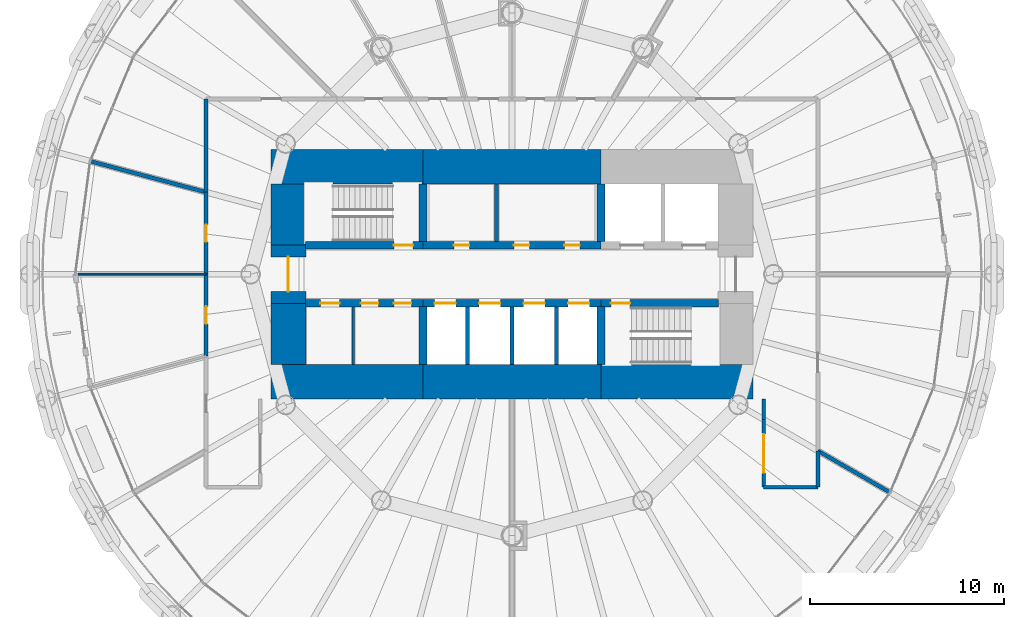
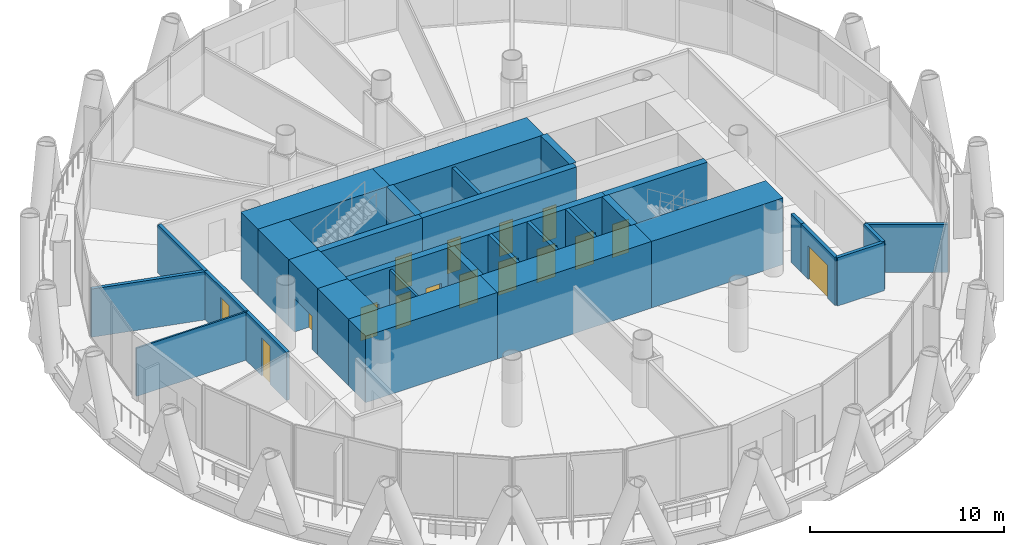
# One storey, part 10 of 16: 32 walls, 16 doors, 16 openings.
"""IFC4 building model written with IfcOpenShell, lengths in metres."""

from ifc_helpers import new_model, si_unit, direction, frame, frame_2d, origin, place, context, subcontext, project, spatial, rectangle, extrude, material, layer, layer_set, type_object, element, fill, save


model = new_model("IFC4")

# Units and contexts
model_context = context("Model", 3, precision=1e-05, world=origin(), true_north=direction((0.0, 1.0)))
body_context = subcontext(model_context, "Body", "Model", "MODEL_VIEW")
ifc_project = project(units=[si_unit("LENGTHUNIT", "METRE"), si_unit("AREAUNIT", "SQUARE_METRE"), si_unit("VOLUMEUNIT", "CUBIC_METRE"), si_unit("PLANEANGLEUNIT", "RADIAN"), si_unit("MASSUNIT", "GRAM", prefix="KILO")], contexts=[model_context])

# Site, building, storey
site_placement = place(None, origin())
site = spatial("IfcSite", under=ifc_project, at=site_placement, CompositionType="ELEMENT")
building_placement = place(site_placement, origin())
building = spatial("IfcBuilding", under=site, at=building_placement, Name="Qaws Media Tower", CompositionType="ELEMENT")
storey_placement = place(building_placement, frame((0.0, 0.0, 139.39990234375)))
storey = spatial("IfcBuildingStorey", under=building, at=storey_placement, Name="L31", CompositionType="ELEMENT", Elevation=139.39990234375)

# Wall, opening, door
ifc_material_1 = material(Name="Concrete C60/75", Category="concrete")
ifc_layer_1 = layer(ifc_material_1, 0.39990234375)
ifc_layer_set_1 = layer_set([ifc_layer_1], Name="Core inner wall 400")
wall_type_1 = type_object("IfcWallType", Name="Core inner wall 400", PredefinedType="SHEAR", material=ifc_layer_set_1)
wall_1_placement = place(storey_placement, frame((49.330078125, 51.5, 0.0), z_axis=(0.0, 0.0, 1.0), x_axis=(1.0, 0.0, 0.0)))
wall_1 = element("IfcWall", 1, at=wall_1_placement, inside=storey, type_object=wall_type_1, Name="W321 SW4 core wall SPNW L31", PredefinedType="SHEAR", context=body_context, shape_type="SweptSolid", body=[
    extrude(rectangle(XDim=6.06982421875, YDim=0.39990234375, at=frame_2d((3.034912109375, 0.0))), origin(), (0.0, 0.0, 1.0), 4.2001953125),
])
opening_1_placement = place(wall_1_placement, frame((4.570068359375, 0.0, 0.0)))
opening_1 = element("IfcOpeningElement", 2, at=opening_1_placement, cuts=wall_1, Name="Opening D1", PredefinedType="OPENING", context=body_context, shape_type="SweptSolid", body=[
    extrude(rectangle(XDim=1.0, YDim=2.10009765625, at=frame_2d((0.5, 1.050048828125))), frame((0.0, 0.2099609375, 0.0), z_axis=(0.0, -1.0, 0.0), x_axis=(1.0, 0.0, 0.0)), (0.0, 0.0, 1.0), 0.419921875),
])
ifc_material_2 = material(Name="Steel, fire rated", Category="steel")
door_type_1 = type_object("IfcDoorType", Name="Stair door 1000 FD120", OperationType="SINGLE_SWING_LEFT", PredefinedType="DOOR", material=ifc_material_2)
door_1_placement = place(opening_1_placement, origin())
door_1 = element("IfcDoor", 3, at=door_1_placement, inside=storey, type_object=door_type_1, Name="D1 stair S1 door L31 in wall W321", OperationType="SINGLE_SWING_LEFT", OverallHeight=2.10009765625, OverallWidth=1.0, PredefinedType="DOOR", context=body_context, shape_type="SweptSolid", body=[
    extrude(rectangle(XDim=1.0, YDim=2.10009765625, at=frame_2d((0.5, 1.050048828125))), frame((0.0, 0.02490234375, 0.0), z_axis=(0.0, -1.0, 0.0), x_axis=(1.0, 0.0, 0.0)), (0.0, 0.0, 1.0), 0.050048828125),
])
fill(opening_1, door_1)

# Wall, openings, doors
wall_2_placement = place(storey_placement, frame((55.39990234375, 51.5, 0.0), z_axis=(0.0, 0.0, 1.0), x_axis=(1.0, 0.0, 0.0)))
wall_2 = element("IfcWall", 4, at=wall_2_placement, inside=storey, type_object=wall_type_1, Name="W314 SW4 core wall SPN L31", PredefinedType="SHEAR", context=body_context, shape_type="SweptSolid", body=[
    extrude(rectangle(XDim=9.2001953125, YDim=0.39990234375, at=frame_2d((4.60009765625, 0.0))), origin(), (0.0, 0.0, 1.0), 4.2001953125),
])
opening_2_placement = place(wall_2_placement, frame((1.60009765625, 0.0, 0.0)))
opening_2 = element("IfcOpeningElement", 5, at=opening_2_placement, cuts=wall_2, Name="Opening D23", PredefinedType="OPENING", context=body_context, shape_type="SweptSolid", body=[
    extrude(rectangle(XDim=0.800048828125, YDim=2.10009765625, at=frame_2d((0.39990234375, 1.050048828125))), frame((0.0, 0.2099609375, 0.0), z_axis=(0.0, -1.0, 0.0), x_axis=(1.0, 0.0, 0.0)), (0.0, 0.0, 1.0), 0.419921875),
])
opening_3_placement = place(wall_2_placement, frame((4.699951171875, 0.0, 0.0)))
opening_3 = element("IfcOpeningElement", 6, at=opening_3_placement, cuts=wall_2, Name="Opening D23", PredefinedType="OPENING", context=body_context, shape_type="SweptSolid", body=[
    extrude(rectangle(XDim=0.800048828125, YDim=2.10009765625, at=frame_2d((0.39990234375, 1.050048828125))), frame((0.0, 0.2099609375, 0.0), z_axis=(0.0, -1.0, 0.0), x_axis=(1.0, 0.0, 0.0)), (0.0, 0.0, 1.0), 0.419921875),
])
opening_4_placement = place(wall_2_placement, frame((7.300048828125, 0.0, 0.0)))
opening_4 = element("IfcOpeningElement", 7, at=opening_4_placement, cuts=wall_2, Name="Opening D23", PredefinedType="OPENING", context=body_context, shape_type="SweptSolid", body=[
    extrude(rectangle(XDim=0.800048828125, YDim=2.10009765625, at=frame_2d((0.39990234375, 1.050048828125))), frame((0.0, 0.2099609375, 0.0), z_axis=(0.0, -1.0, 0.0), x_axis=(1.0, 0.0, 0.0)), (0.0, 0.0, 1.0), 0.419921875),
])
ifc_material_3 = material(Name="Steel, fire rated", Category="steel")
door_type_2 = type_object("IfcDoorType", Name="Core room door 800x2100", OperationType="SINGLE_SWING_LEFT", PredefinedType="DOOR", material=ifc_material_3)
door_2_placement = place(opening_2_placement, origin())
door_2 = element("IfcDoor", 8, at=door_2_placement, inside=storey, type_object=door_type_2, Name="D23 Ladies toilets door L31 in wall W314", OperationType="SINGLE_SWING_LEFT", OverallHeight=2.10009765625, OverallWidth=0.800048828125, PredefinedType="DOOR", context=body_context, shape_type="SweptSolid", body=[
    extrude(rectangle(XDim=0.800048828125, YDim=2.10009765625, at=frame_2d((0.39990234375, 1.050048828125))), frame((0.0, 0.02490234375, 0.0), z_axis=(0.0, -1.0, 0.0), x_axis=(1.0, 0.0, 0.0)), (0.0, 0.0, 1.0), 0.050048828125),
])
fill(opening_2, door_2)
door_3_placement = place(opening_3_placement, origin())
door_3 = element("IfcDoor", 9, at=door_3_placement, inside=storey, type_object=door_type_2, Name="D23 Gents toilets door L31 2 in wall W314", OperationType="SINGLE_SWING_LEFT", OverallHeight=2.10009765625, OverallWidth=0.800048828125, PredefinedType="DOOR", context=body_context, shape_type="SweptSolid", body=[
    extrude(rectangle(XDim=0.800048828125, YDim=2.10009765625, at=frame_2d((0.39990234375, 1.050048828125))), frame((0.0, 0.02490234375, 0.0), z_axis=(0.0, -1.0, 0.0), x_axis=(1.0, 0.0, 0.0)), (0.0, 0.0, 1.0), 0.050048828125),
])
fill(opening_3, door_3)
door_4_placement = place(opening_4_placement, origin())
door_4 = element("IfcDoor", 10, at=door_4_placement, inside=storey, type_object=door_type_2, Name="D23 Gents toilets door L31 3 in wall W314", OperationType="SINGLE_SWING_LEFT", OverallHeight=2.10009765625, OverallWidth=0.800048828125, PredefinedType="DOOR", context=body_context, shape_type="SweptSolid", body=[
    extrude(rectangle(XDim=0.800048828125, YDim=2.10009765625, at=frame_2d((0.39990234375, 1.050048828125))), frame((0.0, 0.02490234375, 0.0), z_axis=(0.0, -1.0, 0.0), x_axis=(1.0, 0.0, 0.0)), (0.0, 0.0, 1.0), 0.050048828125),
])
fill(opening_4, door_4)

wall_3_placement = place(storey_placement, frame((49.330078125, 48.5, 0.0), z_axis=(0.0, 0.0, 1.0), x_axis=(1.0, 0.0, 0.0)))
wall_3 = element("IfcWall", 11, at=wall_3_placement, inside=storey, type_object=wall_type_1, Name="W320 SW4 core wall SPSW L31", PredefinedType="SHEAR", context=body_context, shape_type="SweptSolid", body=[
    extrude(rectangle(XDim=6.06982421875, YDim=0.39990234375, at=frame_2d((3.034912109375, 0.0))), origin(), (0.0, 0.0, 1.0), 4.2001953125),
])
opening_5_placement = place(wall_3_placement, frame((0.77001953125, 0.0, 0.0)))
opening_5 = element("IfcOpeningElement", 12, at=opening_5_placement, cuts=wall_3, Name="Opening D4", PredefinedType="OPENING", context=body_context, shape_type="SweptSolid", body=[
    extrude(rectangle(XDim=1.0, YDim=2.10009765625, at=frame_2d((0.5, 1.050048828125))), frame((0.0, 0.2099609375, 0.0), z_axis=(0.0, -1.0, 0.0), x_axis=(1.0, 0.0, 0.0)), (0.0, 0.0, 1.0), 0.419921875),
])
opening_6_placement = place(wall_3_placement, frame((2.8701171875, 0.0, 0.0)))
opening_6 = element("IfcOpeningElement", 13, at=opening_6_placement, cuts=wall_3, Name="Opening D25", PredefinedType="OPENING", context=body_context, shape_type="SweptSolid", body=[
    extrude(rectangle(XDim=0.89990234375, YDim=2.10009765625, at=frame_2d((0.449951171875, 1.050048828125))), frame((0.0, 0.2099609375, 0.0), z_axis=(0.0, -1.0, 0.0), x_axis=(1.0, 0.0, 0.0)), (0.0, 0.0, 1.0), 0.419921875),
])
opening_7_placement = place(wall_3_placement, frame((4.570068359375, 0.0, 0.0)))
opening_7 = element("IfcOpeningElement", 14, at=opening_7_placement, cuts=wall_3, Name="Opening D25", PredefinedType="OPENING", context=body_context, shape_type="SweptSolid", body=[
    extrude(rectangle(XDim=0.89990234375, YDim=2.10009765625, at=frame_2d((0.449951171875, 1.050048828125))), frame((0.0, 0.2099609375, 0.0), z_axis=(0.0, -1.0, 0.0), x_axis=(1.0, 0.0, 0.0)), (0.0, 0.0, 1.0), 0.419921875),
])
ifc_material_4 = material(Name="Timber veneered", Category="wood")
door_type_3 = type_object("IfcDoorType", Name="Accessible WC door 1000", OperationType="SLIDING_TO_LEFT", PredefinedType="DOOR", material=ifc_material_4)
door_5_placement = place(opening_5_placement, origin())
door_5 = element("IfcDoor", 15, at=door_5_placement, inside=storey, type_object=door_type_3, Name="D4 toilet door 1 L31 in wall W320", OperationType="SLIDING_TO_LEFT", OverallHeight=2.10009765625, OverallWidth=1.0, PredefinedType="DOOR", context=body_context, shape_type="SweptSolid", body=[
    extrude(rectangle(XDim=1.0, YDim=2.10009765625, at=frame_2d((0.5, 1.050048828125))), frame((0.0, 0.02490234375, 0.0), z_axis=(0.0, -1.0, 0.0), x_axis=(1.0, 0.0, 0.0)), (0.0, 0.0, 1.0), 0.050048828125),
])
fill(opening_5, door_5)
ifc_material_5 = material(Name="Steel, fire rated", Category="steel")
door_type_4 = type_object("IfcDoorType", Name="Core service door 900", OperationType="SINGLE_SWING_RIGHT", PredefinedType="DOOR", material=ifc_material_5)
door_6_placement = place(opening_6_placement, origin())
door_6 = element("IfcDoor", 16, at=door_6_placement, inside=storey, type_object=door_type_4, Name="D25 toilet door 2 L31 in wall W320", OperationType="SINGLE_SWING_RIGHT", OverallHeight=2.10009765625, OverallWidth=0.89990234375, PredefinedType="DOOR", context=body_context, shape_type="SweptSolid", body=[
    extrude(rectangle(XDim=0.89990234375, YDim=2.10009765625, at=frame_2d((0.449951171875, 1.050048828125))), frame((0.0, 0.02490234375, 0.0), z_axis=(0.0, -1.0, 0.0), x_axis=(1.0, 0.0, 0.0)), (0.0, 0.0, 1.0), 0.050048828125),
])
fill(opening_6, door_6)
door_7_placement = place(opening_7_placement, origin())
door_7 = element("IfcDoor", 17, at=door_7_placement, inside=storey, type_object=door_type_4, Name="D25 toilet door 3 L31 in wall W320", OperationType="SINGLE_SWING_RIGHT", OverallHeight=2.10009765625, OverallWidth=0.89990234375, PredefinedType="DOOR", context=body_context, shape_type="SweptSolid", body=[
    extrude(rectangle(XDim=0.89990234375, YDim=2.10009765625, at=frame_2d((0.449951171875, 1.050048828125))), frame((0.0, 0.02490234375, 0.0), z_axis=(0.0, -1.0, 0.0), x_axis=(1.0, 0.0, 0.0)), (0.0, 0.0, 1.0), 0.050048828125),
])
fill(opening_7, door_7)

wall_4_placement = place(storey_placement, frame((55.39990234375, 48.5, 0.0), z_axis=(0.0, 0.0, 1.0), x_axis=(1.0, 0.0, 0.0)))
wall_4 = element("IfcWall", 18, at=wall_4_placement, inside=storey, type_object=wall_type_1, Name="W313 SW4 core wall SPS L31", PredefinedType="SHEAR", context=body_context, shape_type="SweptSolid", body=[
    extrude(rectangle(XDim=9.2001953125, YDim=0.39990234375, at=frame_2d((4.60009765625, 0.0))), origin(), (0.0, 0.0, 1.0), 4.2001953125),
])
opening_8_placement = place(wall_4_placement, frame((0.60009765625, 0.0, 0.0)))
opening_8 = element("IfcOpeningElement", 19, at=opening_8_placement, cuts=wall_4, Name="Opening LD", PredefinedType="OPENING", context=body_context, shape_type="SweptSolid", body=[
    extrude(rectangle(XDim=1.10009765625, YDim=2.10009765625, at=frame_2d((0.550048828125, 1.050048828125))), frame((0.0, 0.2099609375, 0.0), z_axis=(0.0, -1.0, 0.0), x_axis=(1.0, 0.0, 0.0)), (0.0, 0.0, 1.0), 0.419921875),
])
opening_9_placement = place(wall_4_placement, frame((2.89990234375, 0.0, 0.0)))
opening_9 = element("IfcOpeningElement", 20, at=opening_9_placement, cuts=wall_4, Name="Opening LD", PredefinedType="OPENING", context=body_context, shape_type="SweptSolid", body=[
    extrude(rectangle(XDim=1.10009765625, YDim=2.10009765625, at=frame_2d((0.550048828125, 1.050048828125))), frame((0.0, 0.2099609375, 0.0), z_axis=(0.0, -1.0, 0.0), x_axis=(1.0, 0.0, 0.0)), (0.0, 0.0, 1.0), 0.419921875),
])
opening_10_placement = place(wall_4_placement, frame((5.199951171875, 0.0, 0.0)))
opening_10 = element("IfcOpeningElement", 21, at=opening_10_placement, cuts=wall_4, Name="Opening LD", PredefinedType="OPENING", context=body_context, shape_type="SweptSolid", body=[
    extrude(rectangle(XDim=1.10009765625, YDim=2.10009765625, at=frame_2d((0.550048828125, 1.050048828125))), frame((0.0, 0.2099609375, 0.0), z_axis=(0.0, -1.0, 0.0), x_axis=(1.0, 0.0, 0.0)), (0.0, 0.0, 1.0), 0.419921875),
])
opening_11_placement = place(wall_4_placement, frame((7.5, 0.0, 0.0)))
opening_11 = element("IfcOpeningElement", 22, at=opening_11_placement, cuts=wall_4, Name="Opening LD", PredefinedType="OPENING", context=body_context, shape_type="SweptSolid", body=[
    extrude(rectangle(XDim=1.10009765625, YDim=2.10009765625, at=frame_2d((0.550048828125, 1.050048828125))), frame((0.0, 0.2099609375, 0.0), z_axis=(0.0, -1.0, 0.0), x_axis=(1.0, 0.0, 0.0)), (0.0, 0.0, 1.0), 0.419921875),
])
ifc_material_6 = material(Name="Steel, fire rated", Category="steel")
door_type_5 = type_object("IfcDoorType", Name="Lift landing door 1100", OperationType="SLIDING_TO_LEFT", PredefinedType="DOOR", material=ifc_material_6)
door_8_placement = place(opening_8_placement, origin())
door_8 = element("IfcDoor", 23, at=door_8_placement, inside=storey, type_object=door_type_5, Name="P5 landing door L31 in wall W313", OperationType="SLIDING_TO_LEFT", OverallHeight=2.10009765625, OverallWidth=1.10009765625, PredefinedType="DOOR", context=body_context, shape_type="SweptSolid", body=[
    extrude(rectangle(XDim=1.10009765625, YDim=2.10009765625, at=frame_2d((0.550048828125, 1.050048828125))), frame((0.0, 0.02490234375, 0.0), z_axis=(0.0, -1.0, 0.0), x_axis=(1.0, 0.0, 0.0)), (0.0, 0.0, 1.0), 0.050048828125),
])
fill(opening_8, door_8)
door_9_placement = place(opening_9_placement, origin())
door_9 = element("IfcDoor", 24, at=door_9_placement, inside=storey, type_object=door_type_5, Name="P6 landing door L31 in wall W313", OperationType="SLIDING_TO_LEFT", OverallHeight=2.10009765625, OverallWidth=1.10009765625, PredefinedType="DOOR", context=body_context, shape_type="SweptSolid", body=[
    extrude(rectangle(XDim=1.10009765625, YDim=2.10009765625, at=frame_2d((0.550048828125, 1.050048828125))), frame((0.0, 0.02490234375, 0.0), z_axis=(0.0, -1.0, 0.0), x_axis=(1.0, 0.0, 0.0)), (0.0, 0.0, 1.0), 0.050048828125),
])
fill(opening_9, door_9)
door_10_placement = place(opening_10_placement, origin())
door_10 = element("IfcDoor", 25, at=door_10_placement, inside=storey, type_object=door_type_5, Name="P7 landing door L31 in wall W313", OperationType="SLIDING_TO_LEFT", OverallHeight=2.10009765625, OverallWidth=1.10009765625, PredefinedType="DOOR", context=body_context, shape_type="SweptSolid", body=[
    extrude(rectangle(XDim=1.10009765625, YDim=2.10009765625, at=frame_2d((0.550048828125, 1.050048828125))), frame((0.0, 0.02490234375, 0.0), z_axis=(0.0, -1.0, 0.0), x_axis=(1.0, 0.0, 0.0)), (0.0, 0.0, 1.0), 0.050048828125),
])
fill(opening_10, door_10)
door_11_placement = place(opening_11_placement, origin())
door_11 = element("IfcDoor", 26, at=door_11_placement, inside=storey, type_object=door_type_5, Name="P8 landing door L31 in wall W313", OperationType="SLIDING_TO_LEFT", OverallHeight=2.10009765625, OverallWidth=1.10009765625, PredefinedType="DOOR", context=body_context, shape_type="SweptSolid", body=[
    extrude(rectangle(XDim=1.10009765625, YDim=2.10009765625, at=frame_2d((0.550048828125, 1.050048828125))), frame((0.0, 0.02490234375, 0.0), z_axis=(0.0, -1.0, 0.0), x_axis=(1.0, 0.0, 0.0)), (0.0, 0.0, 1.0), 0.050048828125),
])
fill(opening_11, door_11)

# Wall, opening, door
wall_5_placement = place(storey_placement, frame((64.60009765625, 48.5, 0.0), z_axis=(0.0, 0.0, 1.0), x_axis=(1.0, 0.0, 0.0)))
wall_5 = element("IfcWall", 27, at=wall_5_placement, inside=storey, type_object=wall_type_1, Name="W325 SW4 core wall SPSE L31", PredefinedType="SHEAR", context=body_context, shape_type="SweptSolid", body=[
    extrude(rectangle(XDim=6.06982421875, YDim=0.39990234375, at=frame_2d((3.034912109375, 0.0))), origin(), (0.0, 0.0, 1.0), 4.2001953125),
])
opening_12_placement = place(wall_5_placement, frame((0.5, 0.0, 0.0)))
opening_12 = element("IfcOpeningElement", 28, at=opening_12_placement, cuts=wall_5, Name="Opening D1", PredefinedType="OPENING", context=body_context, shape_type="SweptSolid", body=[
    extrude(rectangle(XDim=1.0, YDim=2.10009765625, at=frame_2d((0.5, 1.050048828125))), frame((0.0, 0.2099609375, 0.0), z_axis=(0.0, -1.0, 0.0), x_axis=(1.0, 0.0, 0.0)), (0.0, 0.0, 1.0), 0.419921875),
])
door_12_placement = place(opening_12_placement, origin())
door_12 = element("IfcDoor", 29, at=door_12_placement, inside=storey, type_object=door_type_1, Name="D1 stair S2 door L31 in wall W325", OperationType="SINGLE_SWING_LEFT", OverallHeight=2.10009765625, OverallWidth=1.0, PredefinedType="DOOR", context=body_context, shape_type="SweptSolid", body=[
    extrude(rectangle(XDim=1.0, YDim=2.10009765625, at=frame_2d((0.5, 1.050048828125))), frame((0.0, 0.02490234375, 0.0), z_axis=(0.0, -1.0, 0.0), x_axis=(1.0, 0.0, 0.0)), (0.0, 0.0, 1.0), 0.050048828125),
])
fill(opening_12, door_12)

# Walls
for number, where, z_axis, x_axis, name in (
    (30, (55.39990234375, 51.679931640625, 0.0), (0.0, 0.0, 1.0), (0.0, 1.0, 0.0), "W323 SW4 core wall XNW L31"),
    (31, (64.60009765625, 51.679931640625, 0.0), (0.0, 0.0, 1.0), (0.0, 1.0, 0.0), "W327 SW4 core wall XNE L31"),
    (32, (55.39990234375, 48.320068359375, 0.0), (0.0, 0.0, 1.0), (0.0, -1.0, 0.0), "W322 SW4 core wall XSW L31"),
    (33, (64.60009765625, 48.320068359375, 0.0), (0.0, 0.0, 1.0), (0.0, -1.0, 0.0), "W324 SW4 core wall XSE L31"),
):
    element("IfcWall", number, at=place(storey_placement, frame(where, z_axis=z_axis, x_axis=x_axis)), inside=storey, type_object=wall_type_1, Name=name, PredefinedType="SHEAR", context=body_context, shape_type="SweptSolid", body=[
        extrude(rectangle(XDim=2.989990234375, YDim=0.39990234375, at=frame_2d((1.4951171875, 0.0))), origin(), (0.0, 0.0, 1.0), 4.2001953125),
    ])
ifc_material_7 = material(Name="Concrete C60/75", Category="concrete")
ifc_layer_2 = layer(ifc_material_7, 1.800048828125)
ifc_layer_set_2 = layer_set([ifc_layer_2], Name="Core wall 1800")
wall_type_2 = type_object("IfcWallType", Name="Core wall 1800", PredefinedType="SHEAR", material=ifc_layer_set_2)
wall_6_placement = place(storey_placement, frame((47.550048828125, 55.550048828125, 0.0), z_axis=(0.0, 0.0, 1.0), x_axis=(1.0, 0.0, 0.0)))
element("IfcWall", 34, at=wall_6_placement, inside=storey, type_object=wall_type_2, Name="W417 SW11 core wall NW L31", PredefinedType="SHEAR", context=body_context, shape_type="SweptSolid", body=[
    extrude(rectangle(XDim=7.849853515625, YDim=1.800048828125, at=frame_2d((3.9248046875, 0.0))), origin(), (0.0, 0.0, 1.0), 4.2001953125),
])
wall_7_placement = place(storey_placement, frame((55.39990234375, 55.550048828125, 0.0), z_axis=(0.0, 0.0, 1.0), x_axis=(1.0, 0.0, 0.0)))
element("IfcWall", 35, at=wall_7_placement, inside=storey, type_object=wall_type_2, Name="W421 SW11 core wall N L31", PredefinedType="SHEAR", context=body_context, shape_type="SweptSolid", body=[
    extrude(rectangle(XDim=9.2001953125, YDim=1.800048828125, at=frame_2d((4.60009765625, 0.0))), origin(), (0.0, 0.0, 1.0), 4.2001953125),
])
wall_8_placement = place(storey_placement, frame((47.550048828125, 44.449951171875, 0.0), z_axis=(0.0, 0.0, 1.0), x_axis=(1.0, 0.0, 0.0)))
element("IfcWall", 36, at=wall_8_placement, inside=storey, type_object=wall_type_2, Name="W416 SW11 core wall SW L31", PredefinedType="SHEAR", context=body_context, shape_type="SweptSolid", body=[
    extrude(rectangle(XDim=7.849853515625, YDim=1.800048828125, at=frame_2d((3.9248046875, 0.0))), origin(), (0.0, 0.0, 1.0), 4.2001953125),
])
wall_9_placement = place(storey_placement, frame((55.39990234375, 44.449951171875, 0.0), z_axis=(0.0, 0.0, 1.0), x_axis=(1.0, 0.0, 0.0)))
element("IfcWall", 37, at=wall_9_placement, inside=storey, type_object=wall_type_2, Name="W420 SW11 core wall S L31", PredefinedType="SHEAR", context=body_context, shape_type="SweptSolid", body=[
    extrude(rectangle(XDim=9.2001953125, YDim=1.800048828125, at=frame_2d((4.60009765625, 0.0))), origin(), (0.0, 0.0, 1.0), 4.2001953125),
])
wall_10_placement = place(storey_placement, frame((64.60009765625, 44.449951171875, 0.0), z_axis=(0.0, 0.0, 1.0), x_axis=(1.0, 0.0, 0.0)))
element("IfcWall", 38, at=wall_10_placement, inside=storey, type_object=wall_type_2, Name="W422 SW11 core wall SE L31", PredefinedType="SHEAR", context=body_context, shape_type="SweptSolid", body=[
    extrude(rectangle(XDim=7.849853515625, YDim=1.800048828125, at=frame_2d((3.9248046875, 0.0))), origin(), (0.0, 0.0, 1.0), 4.2001953125),
])
wall_11_placement = place(storey_placement, frame((48.449951171875, 45.330078125, 0.0), z_axis=(0.0, 0.0, 1.0), x_axis=(0.0, 1.0, 0.0)))
element("IfcWall", 39, at=wall_11_placement, inside=storey, type_object=wall_type_2, Name="W418 SW11 core wall WS L31", PredefinedType="SHEAR", context=body_context, shape_type="SweptSolid", body=[
    extrude(rectangle(XDim=3.169921875, YDim=1.800048828125, at=frame_2d((1.5849609375, 0.0))), origin(), (0.0, 0.0, 1.0), 4.2001953125),
])

# Wall, opening, door
wall_12_placement = place(storey_placement, frame((48.449951171875, 48.5, 0.0), z_axis=(0.0, 0.0, 1.0), x_axis=(0.0, 1.0, 0.0)))
wall_12 = element("IfcWall", 40, at=wall_12_placement, inside=storey, type_object=wall_type_2, Name="W426 SW11 core wall W L31", PredefinedType="SHEAR", context=body_context, shape_type="SweptSolid", body=[
    extrude(rectangle(XDim=3.0, YDim=1.800048828125, at=frame_2d((1.5, 0.0))), origin(), (0.0, 0.0, 1.0), 4.2001953125),
])
opening_13_placement = place(wall_12_placement, frame((0.60009765625, 0.0, 0.0)))
opening_13 = element("IfcOpeningElement", 41, at=opening_13_placement, cuts=wall_12, Name="Opening D2", PredefinedType="OPENING", context=body_context, shape_type="SweptSolid", body=[
    extrude(rectangle(XDim=1.800048828125, YDim=2.10009765625, at=frame_2d((0.89990234375, 1.050048828125))), frame((0.0, 0.909912109375, 0.0), z_axis=(0.0, -1.0, 0.0), x_axis=(1.0, 0.0, 0.0)), (0.0, 0.0, 1.0), 1.820068359375),
])
ifc_material_8 = material(Name="Steel and glass, fire rated", Category="steel")
door_type_6 = type_object("IfcDoorType", Name="Lobby door pair 1800 FD60", OperationType="DOUBLE_DOOR_DOUBLE_SWING", PredefinedType="DOOR", material=ifc_material_8)
door_13_placement = place(opening_13_placement, origin())
door_13 = element("IfcDoor", 42, at=door_13_placement, inside=storey, type_object=door_type_6, Name="D2 core lobby door W L31 in wall W426", OperationType="DOUBLE_DOOR_DOUBLE_SWING", OverallHeight=2.10009765625, OverallWidth=1.800048828125, PredefinedType="DOOR", context=body_context, shape_type="SweptSolid", body=[
    extrude(rectangle(XDim=1.800048828125, YDim=2.10009765625, at=frame_2d((0.89990234375, 1.050048828125))), frame((0.0, 0.02490234375, 0.0), z_axis=(0.0, -1.0, 0.0), x_axis=(1.0, 0.0, 0.0)), (0.0, 0.0, 1.0), 0.050048828125),
])
fill(opening_13, door_13)

# Walls
wall_13_placement = place(storey_placement, frame((48.449951171875, 51.5, 0.0), z_axis=(0.0, 0.0, 1.0), x_axis=(0.0, 1.0, 0.0)))
element("IfcWall", 43, at=wall_13_placement, inside=storey, type_object=wall_type_2, Name="W419 SW11 core wall WN L31", PredefinedType="SHEAR", context=body_context, shape_type="SweptSolid", body=[
    extrude(rectangle(XDim=3.169921875, YDim=1.800048828125, at=frame_2d((1.5849609375, 0.0))), origin(), (0.0, 0.0, 1.0), 4.2001953125),
])
ifc_material_9 = material(Name="Gypsum board on 70 metal studs, single layer each side", Category="gypsum")
ifc_layer_3 = layer(ifc_material_9, 0.10009765625)
ifc_layer_set_3 = layer_set([ifc_layer_3], Name="Office stud partition 100")
wall_type_3 = type_object("IfcWallType", Name="Office stud partition 100", PredefinedType="PARTITIONING", material=ifc_layer_set_3)
wall_14_placement = place(storey_placement, frame((44.199951171875, 50.0, 0.0), z_axis=(0.0, 0.0, 1.0), x_axis=(-1.0, 0.0, 0.0)))
element("IfcWall", 44, at=wall_14_placement, inside=storey, type_object=wall_type_3, Name="W677 IW4 partition L31", PredefinedType="PARTITIONING", context=body_context, shape_type="SweptSolid", body=[
    extrude(rectangle(XDim=6.60986328125, YDim=0.10009765625, at=frame_2d((3.304931640625, 0.0))), origin(), (0.0, 0.0, 1.0), 3.0400390625),
])
ifc_material_10 = material(Name="Gypsum board on galvanised metal studs, acoustic double stud, deflection head", Category="gypsum")
ifc_layer_4 = layer(ifc_material_10, 0.199951171875)
ifc_layer_set_4 = layer_set([ifc_layer_4], Name="Room partition 200")
wall_type_4 = type_object("IfcWallType", Name="Room partition 200", PredefinedType="PARTITIONING", material=ifc_layer_set_4)
wall_15_placement = place(storey_placement, frame((75.800048828125, 40.8779296875, 0.0), z_axis=(0.0, 0.0, 1.0), x_axis=(0.0, -1.0, 0.0)))
element("IfcWall", 45, at=wall_15_placement, inside=storey, type_object=wall_type_4, Name="W1232 IW3 partition L31", PredefinedType="PARTITIONING", context=body_context, shape_type="SweptSolid", body=[
    extrude(rectangle(XDim=1.8779296875, YDim=0.199951171875, at=frame_2d((0.93896484375, 0.0))), origin(), (0.0, 0.0, 1.0), 3.0400390625),
])
wall_16_placement = place(storey_placement, frame((75.800048828125, 39.0, 0.0), z_axis=(0.0, 0.0, 1.0), x_axis=(-1.0, 0.0, 0.0)))
element("IfcWall", 46, at=wall_16_placement, inside=storey, type_object=wall_type_4, Name="W1231 IW3 partition L31", PredefinedType="PARTITIONING", context=body_context, shape_type="SweptSolid", body=[
    extrude(rectangle(XDim=2.800048828125, YDim=0.199951171875, at=frame_2d((1.39990234375, 0.0))), origin(), (0.0, 0.0, 1.0), 3.0400390625),
])

# Wall, opening, door
wall_17_placement = place(storey_placement, frame((73.0, 39.0, 0.0), z_axis=(0.0, 0.0, 1.0), x_axis=(0.0, 1.0, 0.0)))
wall_17 = element("IfcWall", 47, at=wall_17_placement, inside=storey, type_object=wall_type_4, Name="W1228 IW3 partition L31", PredefinedType="PARTITIONING", context=body_context, shape_type="SweptSolid", body=[
    extrude(rectangle(XDim=3.494384765625, YDim=0.199951171875, at=frame_2d((1.7470703125, 0.0))), origin(), (0.0, 0.0, 1.0), 3.0400390625),
])
opening_14_placement = place(wall_17_placement, frame((0.747314453125, 0.0, 0.0)))
opening_14 = element("IfcOpeningElement", 48, at=opening_14_placement, cuts=wall_17, Name="Opening D6", PredefinedType="OPENING", context=body_context, shape_type="SweptSolid", body=[
    extrude(rectangle(XDim=2.0, YDim=2.10009765625, at=frame_2d((1.0, 1.050048828125))), frame((0.0, 0.10986328125, 0.0), z_axis=(0.0, -1.0, 0.0), x_axis=(1.0, 0.0, 0.0)), (0.0, 0.0, 1.0), 0.219970703125),
])
ifc_material_11 = material(Name="Steel, acoustic, fire rated", Category="steel")
door_type_7 = type_object("IfcDoorType", Name="Room door pair 2000", OperationType="DOUBLE_DOOR_DOUBLE_SWING", PredefinedType="DOOR", material=ifc_material_11)
door_14_placement = place(opening_14_placement, origin())
door_14 = element("IfcDoor", 49, at=door_14_placement, inside=storey, type_object=door_type_7, Name="D6 Paralegal office door L31 in wall W1228", OperationType="DOUBLE_DOOR_DOUBLE_SWING", OverallHeight=2.10009765625, OverallWidth=2.0, PredefinedType="DOOR", context=body_context, shape_type="SweptSolid", body=[
    extrude(rectangle(XDim=2.0, YDim=2.10009765625, at=frame_2d((1.0, 1.050048828125))), frame((0.0, 0.02490234375, 0.0), z_axis=(0.0, -1.0, 0.0), x_axis=(1.0, 0.0, 0.0)), (0.0, 0.0, 1.0), 0.050048828125),
])
fill(opening_14, door_14)

# Wall
wall_18_placement = place(storey_placement, frame((73.0, 42.494384765625, 0.0), z_axis=(0.0, 0.0, 1.0), x_axis=(0.0, 1.0, 0.0)))
element("IfcWall", 50, at=wall_18_placement, inside=storey, type_object=wall_type_4, Name="W1229 IW3 partition L31", PredefinedType="PARTITIONING", context=body_context, shape_type="SweptSolid", body=[
    extrude(rectangle(XDim=1.0556640625, YDim=0.199951171875, at=frame_2d((0.52783203125, 0.0))), origin(), (0.0, 0.0, 1.0), 3.0400390625),
])

# Wall, opening, door
wall_19_placement = place(storey_placement, frame((44.199951171875, 45.766357421875, 0.0), z_axis=(0.0, 0.0, 1.0), x_axis=(0.0, 1.0, 0.0)))
wall_19 = element("IfcWall", 51, at=wall_19_placement, inside=storey, type_object=wall_type_4, Name="W1217 IW3 partition L31", PredefinedType="PARTITIONING", context=body_context, shape_type="SweptSolid", body=[
    extrude(rectangle(XDim=4.233642578125, YDim=0.199951171875, at=frame_2d((2.11669921875, 0.0))), origin(), (0.0, 0.0, 1.0), 3.0400390625),
])
opening_15_placement = place(wall_19_placement, frame((1.666748046875, 0.0, 0.0)))
opening_15 = element("IfcOpeningElement", 52, at=opening_15_placement, cuts=wall_19, Name="Opening D12", PredefinedType="OPENING", context=body_context, shape_type="SweptSolid", body=[
    extrude(rectangle(XDim=0.89990234375, YDim=2.39990234375, at=frame_2d((0.449951171875, 1.199951171875))), frame((0.0, 0.10986328125, 0.0), z_axis=(0.0, -1.0, 0.0), x_axis=(1.0, 0.0, 0.0)), (0.0, 0.0, 1.0), 0.219970703125),
])
ifc_material_12 = material(Name="Timber veneered, full height", Category="wood")
door_type_8 = type_object("IfcDoorType", Name="Office door 900x2400", OperationType="SINGLE_SWING_LEFT", PredefinedType="DOOR", material=ifc_material_12)
door_15_placement = place(opening_15_placement, origin())
door_15 = element("IfcDoor", 53, at=door_15_placement, inside=storey, type_object=door_type_8, Name="D12 Office door L31 in wall W1217", OperationType="SINGLE_SWING_LEFT", OverallHeight=2.39990234375, OverallWidth=0.89990234375, PredefinedType="DOOR", context=body_context, shape_type="SweptSolid", body=[
    extrude(rectangle(XDim=0.89990234375, YDim=2.39990234375, at=frame_2d((0.449951171875, 1.199951171875))), frame((0.0, 0.02490234375, 0.0), z_axis=(0.0, -1.0, 0.0), x_axis=(1.0, 0.0, 0.0)), (0.0, 0.0, 1.0), 0.050048828125),
])
fill(opening_15, door_15)

wall_20_placement = place(storey_placement, frame((44.199951171875, 50.0, 0.0), z_axis=(0.0, 0.0, 1.0), x_axis=(0.0, 1.0, 0.0)))
wall_20 = element("IfcWall", 54, at=wall_20_placement, inside=storey, type_object=wall_type_4, Name="W1218 IW3 partition L31", PredefinedType="PARTITIONING", context=body_context, shape_type="SweptSolid", body=[
    extrude(rectangle(XDim=4.233642578125, YDim=0.199951171875, at=frame_2d((2.11669921875, 0.0))), origin(), (0.0, 0.0, 1.0), 3.0400390625),
])
opening_16_placement = place(wall_20_placement, frame((1.666748046875, 0.0, 0.0)))
opening_16 = element("IfcOpeningElement", 55, at=opening_16_placement, cuts=wall_20, Name="Opening D12", PredefinedType="OPENING", context=body_context, shape_type="SweptSolid", body=[
    extrude(rectangle(XDim=0.89990234375, YDim=2.39990234375, at=frame_2d((0.449951171875, 1.199951171875))), frame((0.0, 0.10986328125, 0.0), z_axis=(0.0, -1.0, 0.0), x_axis=(1.0, 0.0, 0.0)), (0.0, 0.0, 1.0), 0.219970703125),
])
door_16_placement = place(opening_16_placement, origin())
door_16 = element("IfcDoor", 56, at=door_16_placement, inside=storey, type_object=door_type_8, Name="D12 Office door L31 in wall W1218", OperationType="SINGLE_SWING_LEFT", OverallHeight=2.39990234375, OverallWidth=0.89990234375, PredefinedType="DOOR", context=body_context, shape_type="SweptSolid", body=[
    extrude(rectangle(XDim=0.89990234375, YDim=2.39990234375, at=frame_2d((0.449951171875, 1.199951171875))), frame((0.0, 0.02490234375, 0.0), z_axis=(0.0, -1.0, 0.0), x_axis=(1.0, 0.0, 0.0)), (0.0, 0.0, 1.0), 0.050048828125),
])
fill(opening_16, door_16)

# Walls
wall_21_placement = place(storey_placement, frame((44.199951171875, 54.233642578125, 0.0), z_axis=(0.0, 0.0, 1.0), x_axis=(0.0, 1.0, 0.0)))
element("IfcWall", 57, at=wall_21_placement, inside=storey, type_object=wall_type_4, Name="W1219 IW3 partition L31", PredefinedType="PARTITIONING", context=body_context, shape_type="SweptSolid", body=[
    extrude(rectangle(XDim=4.81640625, YDim=0.199951171875, at=frame_2d((2.408203125, 0.0))), origin(), (0.0, 0.0, 1.0), 3.0400390625),
])
wall_22_placement = place(storey_placement, frame((44.197509765625, 54.234375, 0.0), z_axis=(0.0, 0.0, 1.0), x_axis=(-0.965933167563, 0.258791645543, 0.0)))
element("IfcWall", 58, at=wall_22_placement, inside=storey, type_object=wall_type_4, Name="W1300 IW3 partition L31", PredefinedType="PARTITIONING", context=body_context, shape_type="SweptSolid", body=[
    extrude(rectangle(XDim=6.14990234375, YDim=0.199951171875, at=frame_2d((3.074951171875, 0.0))), origin(), (0.0, 0.0, 1.0), 3.0400390625),
])
wall_23_placement = place(storey_placement, frame((75.79638671875, 40.8798828125, 0.0), z_axis=(0.0, 0.0, 1.0), x_axis=(0.866038951244, -0.499976534377, 0.0)))
element("IfcWall", 59, at=wall_23_placement, inside=storey, type_object=wall_type_4, Name="W1305 IW3 partition L31", PredefinedType="PARTITIONING", context=body_context, shape_type="SweptSolid", body=[
    extrude(rectangle(XDim=4.269775390625, YDim=0.199951171875, at=frame_2d((2.134765625, 0.0))), origin(), (0.0, 0.0, 1.0), 3.0400390625),
])
wall_24_placement = place(storey_placement, frame((59.199951171875, 51.699951171875, 0.0), z_axis=(0.0, 0.0, 1.0), x_axis=(0.0, 1.0, 0.0)))
element("IfcWall", 60, at=wall_24_placement, inside=storey, type_object=wall_type_4, Name="W1284 IW3 core room partition 1 L31", PredefinedType="PARTITIONING", context=body_context, shape_type="SweptSolid", body=[
    extrude(rectangle(XDim=2.949951171875, YDim=0.199951171875, at=frame_2d((1.47509765625, 0.0))), origin(), (0.0, 0.0, 1.0), 4.0400390625),
])
ifc_material_13 = material(Name="Fire-rated gypsum board shaft wall on galvanised metal studs, deflection head", Category="gypsum")
ifc_layer_5 = layer(ifc_material_13, 0.199951171875)
ifc_layer_set_5 = layer_set([ifc_layer_5], Name="Shaft wall 200")
wall_type_5 = type_object("IfcWallType", Name="Shaft wall 200", PredefinedType="PARTITIONING", material=ifc_layer_set_5)
for number, where, z_axis, x_axis, name in (
    (61, (57.699951171875, 45.35009765625, 0.0), (0.0, 0.0, 1.0), (0.0, 1.0, 0.0), "W1860 IW1 shaft wall S1 L31"),
    (62, (60.0, 45.35009765625, 0.0), (0.0, 0.0, 1.0), (0.0, 1.0, 0.0), "W1861 IW1 shaft wall S2 L31"),
    (63, (62.300048828125, 45.35009765625, 0.0), (0.0, 0.0, 1.0), (0.0, 1.0, 0.0), "W1862 IW1 shaft wall S3 L31"),
):
    element("IfcWall", number, at=place(storey_placement, frame(where, z_axis=z_axis, x_axis=x_axis)), inside=storey, type_object=wall_type_5, Name=name, PredefinedType="PARTITIONING", context=body_context, shape_type="SweptSolid", body=[
        extrude(rectangle(XDim=2.949951171875, YDim=0.199951171875, at=frame_2d((1.47509765625, 0.0))), origin(), (0.0, 0.0, 1.0), 4.2001953125),
    ])
ifc_material_14 = material(Name="Gypsum board on galvanised metal studs, deflection head", Category="gypsum")
ifc_layer_6 = layer(ifc_material_14, 0.14990234375)
ifc_layer_set_6 = layer_set([ifc_layer_6], Name="WC partition 150")
wall_type_6 = type_object("IfcWallType", Name="WC partition 150", PredefinedType="PARTITIONING", material=ifc_layer_set_6)
wall_25_placement = place(storey_placement, frame((51.800048828125, 45.35009765625, 0.0), z_axis=(0.0, 0.0, 1.0), x_axis=(0.0, 1.0, 0.0)))
element("IfcWall", 64, at=wall_25_placement, inside=storey, type_object=wall_type_6, Name="W1912 IW2 toilet partition 1 L31", PredefinedType="PARTITIONING", context=body_context, shape_type="SweptSolid", body=[
    extrude(rectangle(XDim=2.949951171875, YDim=0.14990234375, at=frame_2d((1.47509765625, 0.0))), origin(), (0.0, 0.0, 1.0), 4.0400390625),
])

save(model, "model.ifc")
